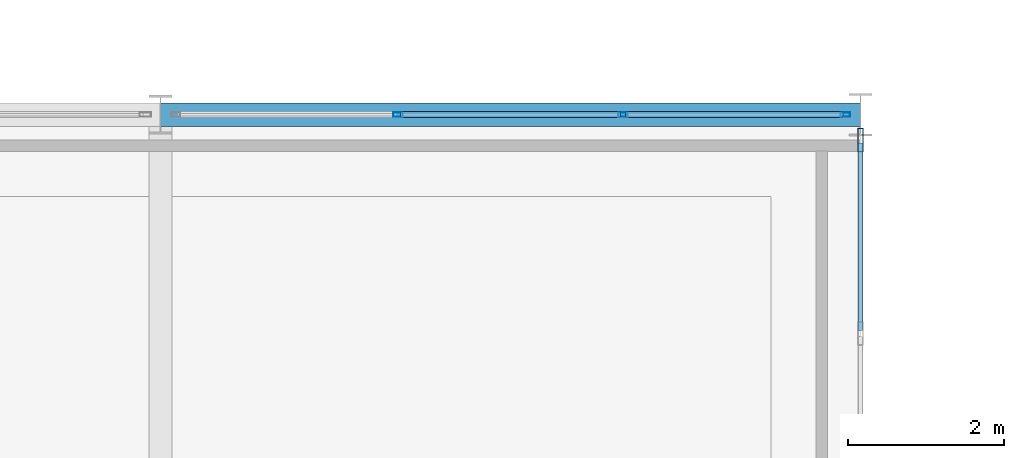
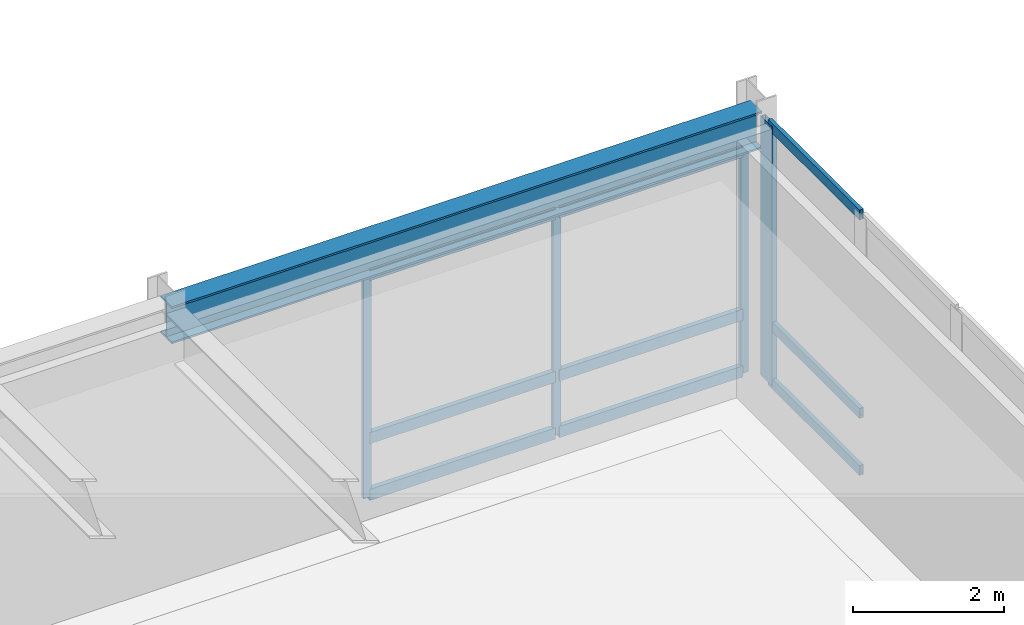
# One storey, part 87 of 127: 13 members, 1 beam, 2 elements without a shape of their own.
"""IFC4 building model written with IfcOpenShell, lengths in metres."""

from ifc_helpers import new_model, si_unit, direction, frame, origin, origin_2d, place, context, subcontext, project, spatial, hollow_rectangle, i_section, extrude, material, layer, layer_set, material_profile, profile_set, type_object, element, aggregate, save


model = new_model("IFC4")

# Units and contexts
model_context = context("Model", 3, precision=1e-05, world=origin(), true_north=direction((0.0, 1.0)))
body_context = subcontext(model_context, "Body", "Model", "MODEL_VIEW")
ifc_project = project(units=[si_unit("LENGTHUNIT", "METRE"), si_unit("AREAUNIT", "SQUARE_METRE"), si_unit("VOLUMEUNIT", "CUBIC_METRE"), si_unit("PLANEANGLEUNIT", "RADIAN"), si_unit("MASSUNIT", "GRAM", prefix="KILO")], contexts=[model_context])

# Site, building, storey
site_placement = place(None, origin())
site = spatial("IfcSite", under=ifc_project, at=site_placement, CompositionType="ELEMENT")
building_placement = place(site_placement, origin())
building = spatial("IfcBuilding", under=site, at=building_placement, Name="Montelvaro Courts of Justice", CompositionType="ELEMENT")
storey_placement = place(building_placement, frame((0.0, 0.0, 5.39990234375)))
storey = spatial("IfcBuildingStorey", under=building, at=storey_placement, Name="L01", CompositionType="ELEMENT", Elevation=5.39990234375)

# Beam
ifc_material_1 = material(Name="Steel S355", Category="steel")
ifc_material_profile_1 = material_profile(ifc_material_1, i_section(OverallWidth=0.300048828125, OverallDepth=0.60009765625, WebThickness=0.015380859375, FlangeThickness=0.030029296875, at=origin_2d()), Name="HEB 600")
ifc_profile_set_1 = profile_set([ifc_material_profile_1], Name="Steel S355")
beam_type = type_object("IfcBeamType", Name="Beam_HEB600", PredefinedType="USERDEFINED", material=ifc_profile_set_1)
beam_placement = place(storey_placement, frame((135.0, 42.0, 3.920166015625), z_axis=(1.0, 0.0, 0.0), x_axis=(0.0, 1.0, 0.0)))
element("IfcBeam", 1, at=beam_placement, inside=storey, type_object=beam_type, Name="Beam B-26 L01", ObjectType="GIRDER", PredefinedType="USERDEFINED", context=body_context, shape_type="SweptSolid", body=[
    extrude(i_section(OverallWidth=0.300048828125, OverallDepth=0.60009765625, WebThickness=0.015380859375, FlangeThickness=0.030029296875, at=origin_2d()), origin(), (0.0, 0.0, 1.0), 9.0),
])

# Curtain wall, members
ifc_material_2 = material(Name="Anodised aluminium EN AW-6063", Category="aluminium")
ifc_layer_1 = layer(ifc_material_2, 0.159912109375)
ifc_layer_set_1 = layer_set([ifc_layer_1], Name="Anodised aluminium EN AW-6063")
curtain_wall_type_1 = type_object("IfcCurtainWallType", Name="CurtainWall_14_867x418", PredefinedType="USERDEFINED", material=ifc_layer_set_1)
curtain_wall_1_placement = place(storey_placement, origin())
curtain_wall_1 = element("IfcCurtainWall", 2, at=curtain_wall_1_placement, inside=storey, type_object=curtain_wall_type_1, Name="Curtain Wall CW-14 (L01)", ObjectType="CURTAIN WALL", PredefinedType="USERDEFINED")
ifc_material_profile_2 = material_profile(ifc_material_2, hollow_rectangle(XDim=0.06005859375, YDim=0.1201171875, WallThickness=0.00341796875, at=origin_2d()), Name="ALU-M 60x120")
ifc_profile_set_2 = profile_set([ifc_material_profile_2], Name="Anodised aluminium EN AW-6063")
member_type_1 = type_object("IfcMemberType", Name="CurtainWall_Mullion_60x120", PredefinedType="MULLION", material=ifc_profile_set_2)
member_1_placement = place(storey_placement, frame((143.804931640625, 42.0, 0.0), z_axis=(0.0, 0.0, 1.0), x_axis=(0.0, -1.0, 0.0)))
member_1 = element("IfcMember", 3, at=member_1_placement, type_object=member_type_1, Name="CW-14 mullion 1", PredefinedType="MULLION", context=body_context, shape_type="SweptSolid", body=[
    extrude(hollow_rectangle(XDim=0.06005859375, YDim=0.1201171875, WallThickness=0.00341796875, at=origin_2d()), origin(), (0.0, 0.0, 1.0), 3.614990234375),
])
member_2_placement = place(storey_placement, frame((140.945068359375, 42.0, 0.0), z_axis=(0.0, 0.0, 1.0), x_axis=(0.0, -1.0, 0.0)))
member_2 = element("IfcMember", 4, at=member_2_placement, type_object=member_type_1, Name="CW-14 mullion 2", PredefinedType="MULLION", context=body_context, shape_type="SweptSolid", body=[
    extrude(hollow_rectangle(XDim=0.06005859375, YDim=0.1201171875, WallThickness=0.00341796875, at=origin_2d()), origin(), (0.0, 0.0, 1.0), 3.614990234375),
])
member_3_placement = place(storey_placement, frame((138.054931640625, 42.0, 0.0), z_axis=(0.0, 0.0, 1.0), x_axis=(0.0, -1.0, 0.0)))
member_3 = element("IfcMember", 5, at=member_3_placement, type_object=member_type_1, Name="CW-14 mullion 3", PredefinedType="MULLION", context=body_context, shape_type="SweptSolid", body=[
    extrude(hollow_rectangle(XDim=0.06005859375, YDim=0.1201171875, WallThickness=0.00341796875, at=origin_2d()), origin(), (0.0, 0.0, 1.0), 3.614990234375),
])

ifc_layer_2 = layer(ifc_material_2, 0.159912109375)
ifc_layer_set_2 = layer_set([ifc_layer_2], Name="Anodised aluminium EN AW-6063")
curtain_wall_type_2 = type_object("IfcCurtainWallType", Name="CurtainWall_15_1765x418", PredefinedType="USERDEFINED", material=ifc_layer_set_2)
curtain_wall_2_placement = place(storey_placement, origin())
curtain_wall_2 = element("IfcCurtainWall", 6, at=curtain_wall_2_placement, inside=storey, type_object=curtain_wall_type_2, Name="Curtain Wall CW-15 (L01)", ObjectType="CURTAIN WALL", PredefinedType="USERDEFINED")
ifc_material_profile_3 = material_profile(ifc_material_2, hollow_rectangle(XDim=0.074951171875, YDim=0.300048828125, WallThickness=0.006103515625, at=origin_2d()), Name="ALU-M 75x300")
ifc_profile_set_3 = profile_set([ifc_material_profile_3], Name="Anodised aluminium EN AW-6063")
member_type_2 = type_object("IfcMemberType", Name="CurtainWall_Mullion_75x300", PredefinedType="MULLION", material=ifc_profile_set_3)
member_4_placement = place(storey_placement, frame((144.0, 41.672607421875, 0.0), z_axis=(0.0, 0.0, 1.0), x_axis=(-1.0, 0.0, 0.0)))
member_4 = element("IfcMember", 7, at=member_4_placement, type_object=member_type_2, Name="CW-15 mullion 8", PredefinedType="MULLION", context=body_context, shape_type="SweptSolid", body=[
    extrude(hollow_rectangle(XDim=0.074951171875, YDim=0.300048828125, WallThickness=0.006103515625, at=origin_2d()), origin(), (0.0, 0.0, 1.0), 4.18017578125),
])
ifc_material_profile_4 = material_profile(ifc_material_2, hollow_rectangle(XDim=0.06005859375, YDim=0.159912109375, WallThickness=0.00439453125, at=origin_2d()), Name="ALU-T 60x160")
ifc_profile_set_4 = profile_set([ifc_material_profile_4], Name="Anodised aluminium EN AW-6063")
member_type_3 = type_object("IfcMemberType", Name="CurtainWall_Transom_60x160", PredefinedType="USERDEFINED", material=ifc_profile_set_4)
member_5_placement = place(storey_placement, frame((144.0, 39.22314453125, 0.030029296875), z_axis=(0.0, 1.0, 0.0), x_axis=(-1.0, 0.0, 0.0)))
member_5 = element("IfcMember", 8, at=member_5_placement, type_object=member_type_3, Name="CW-15 transom 7.1", ObjectType="TRANSOM", PredefinedType="USERDEFINED", context=body_context, shape_type="SweptSolid", body=[
    extrude(hollow_rectangle(XDim=0.06005859375, YDim=0.159912109375, WallThickness=0.00439453125, at=origin_2d()), origin(), (0.0, 0.0, 1.0), 2.411865234375),
])
member_6_placement = place(storey_placement, frame((144.0, 39.22314453125, 0.9501953125), z_axis=(0.0, 1.0, 0.0), x_axis=(-1.0, 0.0, 0.0)))
member_6 = element("IfcMember", 9, at=member_6_placement, type_object=member_type_3, Name="CW-15 transom 7.2", ObjectType="TRANSOM", PredefinedType="USERDEFINED", context=body_context, shape_type="SweptSolid", body=[
    extrude(hollow_rectangle(XDim=0.06005859375, YDim=0.159912109375, WallThickness=0.00439453125, at=origin_2d()), origin(), (0.0, 0.0, 1.0), 2.411865234375),
])
member_7_placement = place(storey_placement, frame((144.0, 39.22314453125, 4.150146484375), z_axis=(0.0, 1.0, 0.0), x_axis=(-1.0, 0.0, 0.0)))
member_7 = element("IfcMember", 10, at=member_7_placement, type_object=member_type_3, Name="CW-15 transom 7.3", ObjectType="TRANSOM", PredefinedType="USERDEFINED", context=body_context, shape_type="SweptSolid", body=[
    extrude(hollow_rectangle(XDim=0.06005859375, YDim=0.159912109375, WallThickness=0.00439453125, at=origin_2d()), origin(), (0.0, 0.0, 1.0), 2.411865234375),
])
aggregate(curtain_wall_2, [member_4, member_5, member_6, member_7])

# Member
ifc_material_profile_5 = material_profile(ifc_material_2, hollow_rectangle(XDim=0.074951171875, YDim=0.179931640625, WallThickness=0.0048828125, at=origin_2d()), Name="ALU-T 75x180")
ifc_profile_set_5 = profile_set([ifc_material_profile_5], Name="Anodised aluminium EN AW-6063")
member_type_4 = type_object("IfcMemberType", Name="CurtainWall_Transom_75x180", PredefinedType="USERDEFINED", material=ifc_profile_set_5)
member_8_placement = place(storey_placement, frame((143.77490234375, 42.0, 0.03759765625), z_axis=(-1.0, 0.0, 0.0), x_axis=(0.0, -1.0, 0.0)))
member_8 = element("IfcMember", 11, at=member_8_placement, type_object=member_type_4, Name="CW-14 transom 1.1", ObjectType="TRANSOM", PredefinedType="USERDEFINED", context=body_context, shape_type="SweptSolid", body=[
    extrude(hollow_rectangle(XDim=0.074951171875, YDim=0.179931640625, WallThickness=0.0048828125, at=origin_2d()), origin(), (0.0, 0.0, 1.0), 2.7998046875),
])

member_9_placement = place(storey_placement, frame((143.77490234375, 42.0, 0.9501953125), z_axis=(-1.0, 0.0, 0.0), x_axis=(0.0, -1.0, 0.0)))
member_9 = element("IfcMember", 12, at=member_9_placement, type_object=member_type_4, Name="CW-14 transom 1.2", ObjectType="TRANSOM", PredefinedType="USERDEFINED", context=body_context, shape_type="SweptSolid", body=[
    extrude(hollow_rectangle(XDim=0.074951171875, YDim=0.179931640625, WallThickness=0.0048828125, at=origin_2d()), origin(), (0.0, 0.0, 1.0), 2.7998046875),
])

member_10_placement = place(storey_placement, frame((143.77490234375, 42.0, 3.57763671875), z_axis=(-1.0, 0.0, 0.0), x_axis=(0.0, -1.0, 0.0)))
member_10 = element("IfcMember", 13, at=member_10_placement, type_object=member_type_4, Name="CW-14 transom 1.3", ObjectType="TRANSOM", PredefinedType="USERDEFINED", context=body_context, shape_type="SweptSolid", body=[
    extrude(hollow_rectangle(XDim=0.074951171875, YDim=0.179931640625, WallThickness=0.0048828125, at=origin_2d()), origin(), (0.0, 0.0, 1.0), 2.7998046875),
])

member_11_placement = place(storey_placement, frame((140.9150390625, 42.0, 0.03759765625), z_axis=(-1.0, 0.0, 0.0), x_axis=(0.0, -1.0, 0.0)))
member_11 = element("IfcMember", 14, at=member_11_placement, type_object=member_type_4, Name="CW-14 transom 2.1", ObjectType="TRANSOM", PredefinedType="USERDEFINED", context=body_context, shape_type="SweptSolid", body=[
    extrude(hollow_rectangle(XDim=0.074951171875, YDim=0.179931640625, WallThickness=0.0048828125, at=origin_2d()), origin(), (0.0, 0.0, 1.0), 2.830078125),
])

member_12_placement = place(storey_placement, frame((140.9150390625, 42.0, 0.9501953125), z_axis=(-1.0, 0.0, 0.0), x_axis=(0.0, -1.0, 0.0)))
member_12 = element("IfcMember", 15, at=member_12_placement, type_object=member_type_4, Name="CW-14 transom 2.2", ObjectType="TRANSOM", PredefinedType="USERDEFINED", context=body_context, shape_type="SweptSolid", body=[
    extrude(hollow_rectangle(XDim=0.074951171875, YDim=0.179931640625, WallThickness=0.0048828125, at=origin_2d()), origin(), (0.0, 0.0, 1.0), 2.830078125),
])

member_13_placement = place(storey_placement, frame((140.9150390625, 42.0, 3.57763671875), z_axis=(-1.0, 0.0, 0.0), x_axis=(0.0, -1.0, 0.0)))
member_13 = element("IfcMember", 16, at=member_13_placement, type_object=member_type_4, Name="CW-14 transom 2.3", ObjectType="TRANSOM", PredefinedType="USERDEFINED", context=body_context, shape_type="SweptSolid", body=[
    extrude(hollow_rectangle(XDim=0.074951171875, YDim=0.179931640625, WallThickness=0.0048828125, at=origin_2d()), origin(), (0.0, 0.0, 1.0), 2.830078125),
])

aggregate(curtain_wall_1, [member_1, member_2, member_3, member_8, member_9, member_10, member_11, member_12, member_13])

save(model, "model.ifc")
